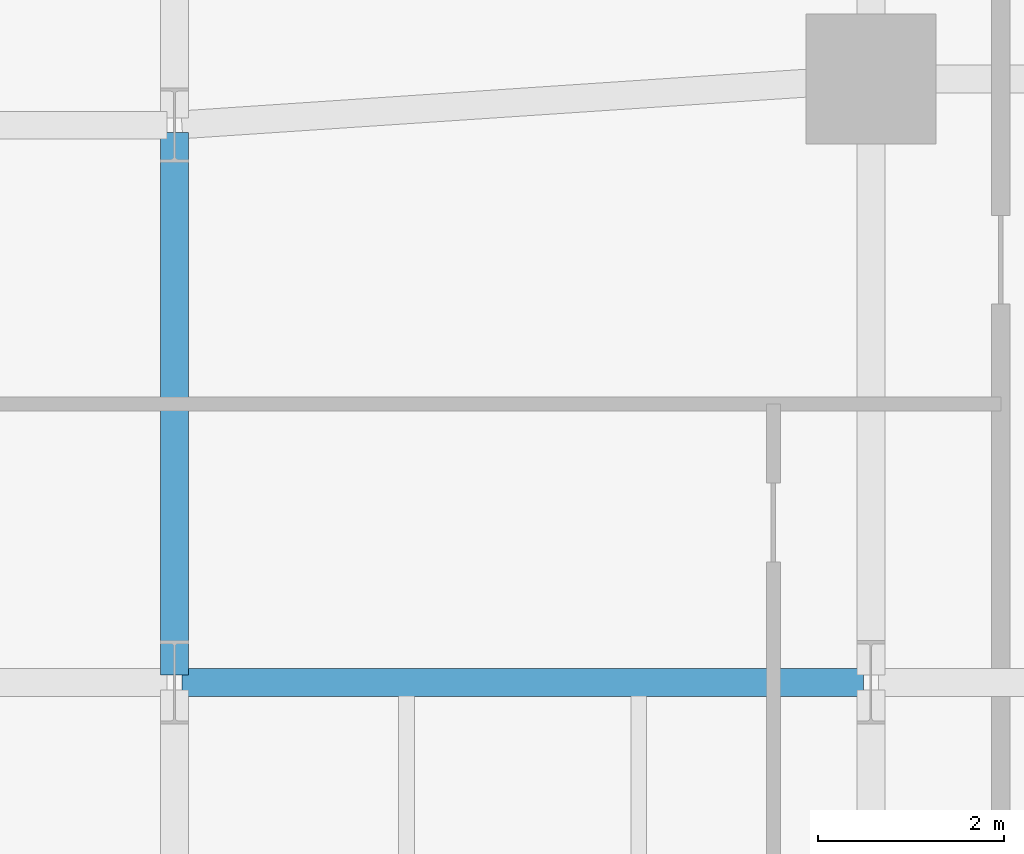
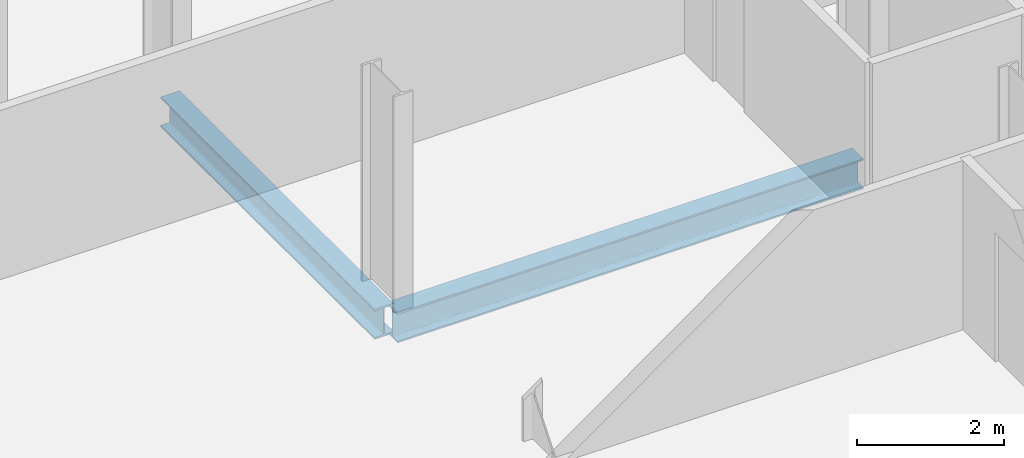
# One storey, part 10 of 33: 2 beams.
"""IFC4 building model written with IfcOpenShell, lengths in metres."""

from ifc_helpers import new_model, si_unit, direction, frame, origin, origin_2d, place, context, subcontext, project, spatial, i_section, extrude, material, material_profile, profile_set, type_object, element, save


model = new_model("IFC4")

# Units and contexts
model_context = context("Model", 3, precision=1e-05, world=origin(), true_north=direction((0.0, 1.0)))
body_context = subcontext(model_context, "Body", "Model", "MODEL_VIEW")
ifc_project = project(units=[si_unit("LENGTHUNIT", "METRE"), si_unit("AREAUNIT", "SQUARE_METRE"), si_unit("VOLUMEUNIT", "CUBIC_METRE"), si_unit("PLANEANGLEUNIT", "RADIAN"), si_unit("MASSUNIT", "GRAM", prefix="KILO")], contexts=[model_context])

# Site, building, storey
site_placement = place(None, origin())
site = spatial("IfcSite", under=ifc_project, at=site_placement, CompositionType="ELEMENT")
building_placement = place(site_placement, origin())
building = spatial("IfcBuilding", under=site, at=building_placement, Name="Catumbela Crestline Tower", CompositionType="ELEMENT")
storey_placement = place(building_placement, frame((0.0, 0.0, 43.8)))
storey = spatial("IfcBuildingStorey", under=building, at=storey_placement, Name="L10", CompositionType="ELEMENT", Elevation=43.8)

# Beams
ifc_material = material(Name="Structural steel S355J2", Category="steel")
ifc_material_profile = material_profile(ifc_material, i_section(OverallWidth=0.3, OverallDepth=0.5, WebThickness=0.0145, FlangeThickness=0.028, FilletRadius=0.027, at=origin_2d()), Name="HEB 500")
ifc_profile_set = profile_set([ifc_material_profile], Name="Structural steel S355J2")
beam_type = type_object("IfcBeamType", Name="BG-HEB500", PredefinedType="BEAM", material=ifc_profile_set)
beam_1_placement = place(storey_placement, frame((8.58, 18.0, -0.51), z_axis=(1.0, 0.0, 0.0), x_axis=(0.0, 1.0, 0.0)))
element("IfcBeam", 1, at=beam_1_placement, inside=storey, type_object=beam_type, Name="L10 Beam BM-L10-WEW55", PredefinedType="BEAM", context=body_context, shape_type="SweptSolid", body=[
    extrude(i_section(OverallWidth=0.3, OverallDepth=0.5, WebThickness=0.0145, FlangeThickness=0.028, FilletRadius=0.027, at=origin_2d()), origin(), (0.0, 0.0, 1.0), 7.34),
])
beam_2_placement = place(storey_placement, frame((8.5, 18.08, -0.51), z_axis=(0.0, 1.0, 0.0), x_axis=(-1.0, 0.0, 0.0)))
element("IfcBeam", 2, at=beam_2_placement, inside=storey, type_object=beam_type, Name="L10 Beam BM-L10-WNS63", PredefinedType="BEAM", context=body_context, shape_type="SweptSolid", body=[
    extrude(i_section(OverallWidth=0.3, OverallDepth=0.5, WebThickness=0.0145, FlangeThickness=0.028, FilletRadius=0.027, at=origin_2d()), origin(), (0.0, 0.0, 1.0), 5.84),
])

save(model, "model.ifc")
